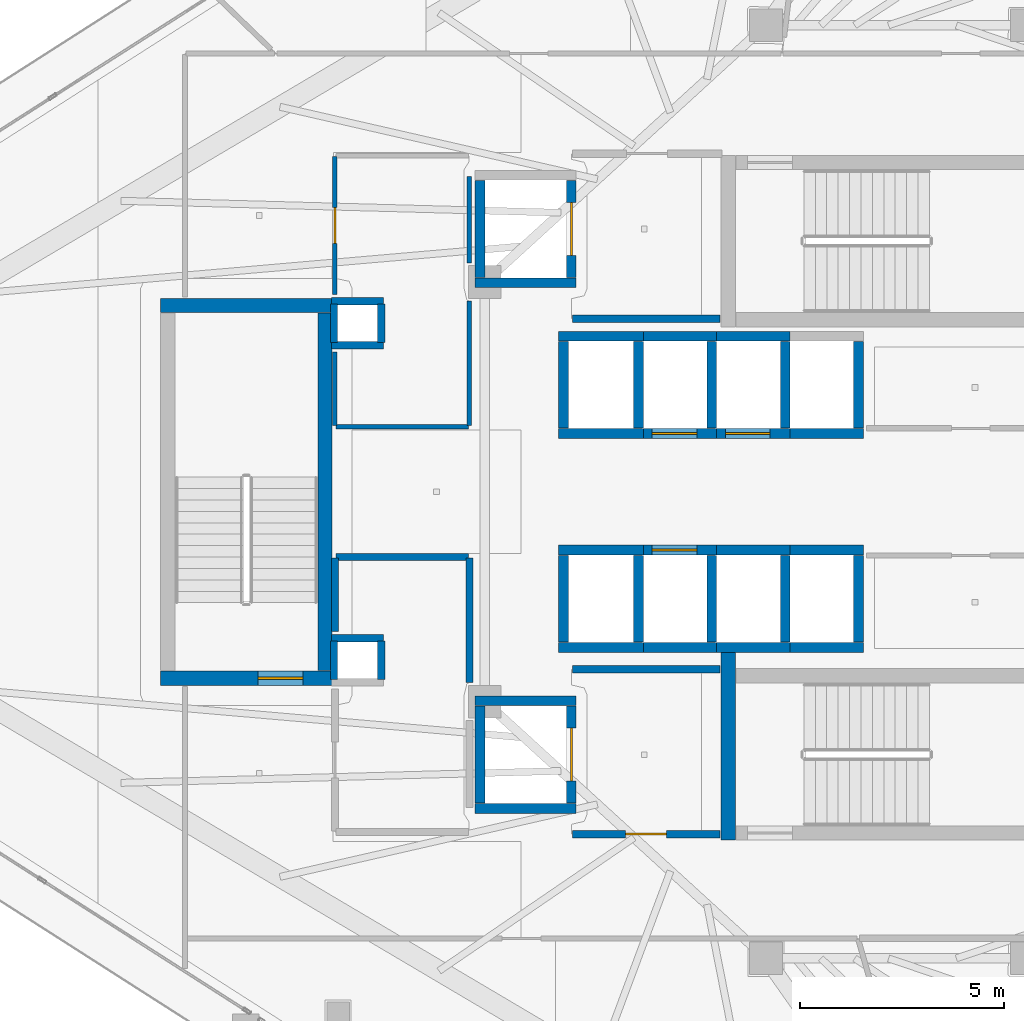
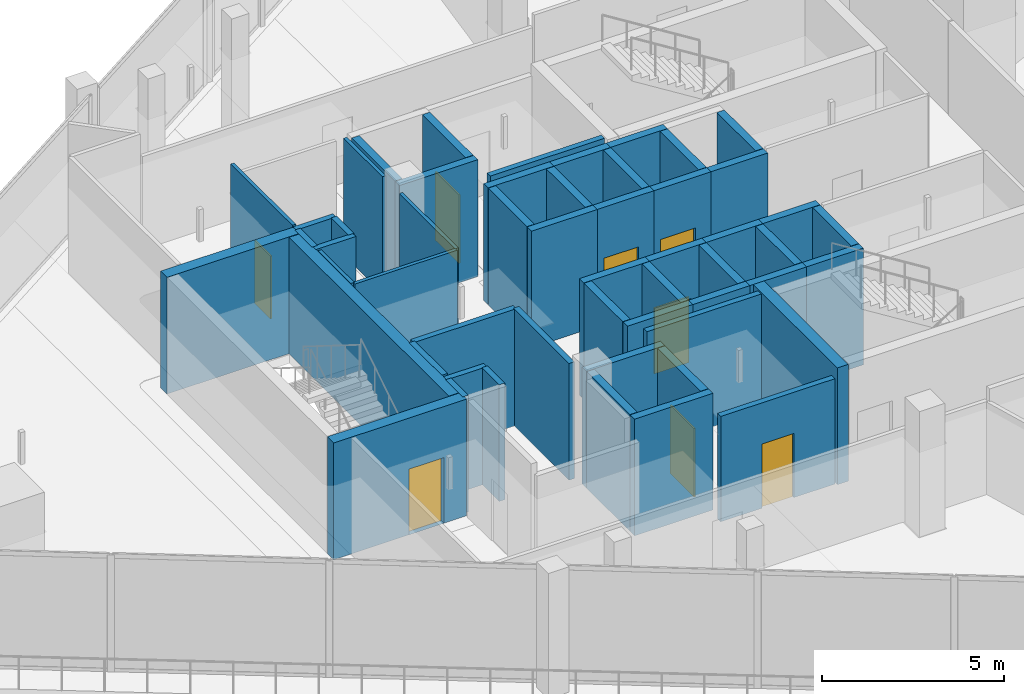
# One storey, part 21 of 31: 54 walls, 8 doors, 8 openings.
"""IFC4 building model written with IfcOpenShell, lengths in metres."""

from ifc_helpers import new_model, si_unit, direction, frame, frame_2d, origin, place, context, subcontext, project, spatial, rectangle, extrude, material, layer, layer_set, type_object, element, fill, save


model = new_model("IFC4")

# Units and contexts
model_context = context("Model", 3, precision=1e-05, world=origin(), true_north=direction((0.0, 1.0)))
body_context = subcontext(model_context, "Body", "Model", "MODEL_VIEW")
ifc_project = project(units=[si_unit("LENGTHUNIT", "METRE"), si_unit("AREAUNIT", "SQUARE_METRE"), si_unit("VOLUMEUNIT", "CUBIC_METRE"), si_unit("PLANEANGLEUNIT", "RADIAN"), si_unit("MASSUNIT", "GRAM", prefix="KILO")], contexts=[model_context])

# Site, building, storey
site_placement = place(None, origin())
site = spatial("IfcSite", under=ifc_project, at=site_placement, CompositionType="ELEMENT")
building_placement = place(site_placement, origin())
building = spatial("IfcBuilding", under=site, at=building_placement, Name="Qorvath Tower", CompositionType="ELEMENT")
storey_placement = place(building_placement, frame((0.0, 0.0, 259.800048828125)))
storey = spatial("IfcBuildingStorey", under=building, at=storey_placement, Name="L60", CompositionType="ELEMENT", Elevation=259.800048828125)

# Walls
ifc_material_1 = material(Name="Gypsum shaftliner on steel studs", Category="steel")
ifc_layer_1 = layer(ifc_material_1, 0.179931640625)
ifc_layer_set_1 = layer_set([ifc_layer_1], Name="FW-LOBBY")
wall_type_1 = type_object("IfcWallType", Name="FW-LOBBY", PredefinedType="PARTITIONING", material=ifc_layer_set_1)
for number, where, z_axis, x_axis, name in (
    (1, (-32.989990234375, 3.594970703125, 0.0), (0.0, 0.0, 1.0), (-1.0, 0.0, 0.0), "MEP Riser Shaft Enclosure Wall N-L60-S"),
    (2, (-34.260009765625, 4.675048828125, 0.0), (0.0, 0.0, 1.0), (1.0, 0.0, 0.0), "MEP Riser Shaft Enclosure Wall N-L60-N"),
):
    element("IfcWall", number, at=place(storey_placement, frame(where, z_axis=z_axis, x_axis=x_axis)), inside=storey, type_object=wall_type_1, Name=name, PredefinedType="PARTITIONING", context=body_context, shape_type="SweptSolid", body=[
        extrude(rectangle(XDim=1.27001953125, YDim=0.179931640625, at=frame_2d((0.635009765625, 0.0))), origin(), (0.0, 0.0, 1.0), 3.909912109375),
    ])
for number, where, z_axis, x_axis, name in (
    (3, (-34.205078125, 3.659912109375, 0.0), (0.0, 0.0, 1.0), (0.0, 1.0, 0.0), "MEP Riser Shaft Enclosure Wall N-L60-W"),
    (4, (-33.044921875, 4.610107421875, 0.0), (0.0, 0.0, 1.0), (0.0, -1.0, 0.0), "MEP Riser Shaft Enclosure Wall N-L60-E"),
):
    element("IfcWall", number, at=place(storey_placement, frame(where, z_axis=z_axis, x_axis=x_axis)), inside=storey, type_object=wall_type_1, Name=name, PredefinedType="PARTITIONING", context=body_context, shape_type="SweptSolid", body=[
        extrude(rectangle(XDim=0.9501953125, YDim=0.179931640625, at=frame_2d((0.47509765625, 0.0))), origin(), (0.0, 0.0, 1.0), 3.909912109375),
    ])
wall_1_placement = place(storey_placement, frame((-34.260009765625, -3.594970703125, 0.0), z_axis=(0.0, 0.0, 1.0), x_axis=(1.0, 0.0, 0.0)))
element("IfcWall", 5, at=wall_1_placement, inside=storey, type_object=wall_type_1, Name="MEP Riser Shaft Enclosure Wall S-L60-N", PredefinedType="PARTITIONING", context=body_context, shape_type="SweptSolid", body=[
    extrude(rectangle(XDim=1.27001953125, YDim=0.179931640625, at=frame_2d((0.635009765625, 0.0))), origin(), (0.0, 0.0, 1.0), 3.909912109375),
])
for number, where, z_axis, x_axis, name in (
    (6, (-34.205078125, -4.610107421875, 0.0), (0.0, 0.0, 1.0), (0.0, 1.0, 0.0), "MEP Riser Shaft Enclosure Wall S-L60-W"),
    (7, (-33.044921875, -3.659912109375, 0.0), (0.0, 0.0, 1.0), (0.0, -1.0, 0.0), "MEP Riser Shaft Enclosure Wall S-L60-E"),
):
    element("IfcWall", number, at=place(storey_placement, frame(where, z_axis=z_axis, x_axis=x_axis)), inside=storey, type_object=wall_type_1, Name=name, PredefinedType="PARTITIONING", context=body_context, shape_type="SweptSolid", body=[
        extrude(rectangle(XDim=0.9501953125, YDim=0.179931640625, at=frame_2d((0.47509765625, 0.0))), origin(), (0.0, 0.0, 1.0), 3.909912109375),
    ])
wall_2_placement = place(storey_placement, frame((-28.35498046875, 4.25, 0.0), z_axis=(0.0, 0.0, 1.0), x_axis=(1.0, 0.0, 0.0)))
element("IfcWall", 8, at=wall_2_placement, inside=storey, type_object=wall_type_1, Name="Interior Partition IW-T1-L60-001", PredefinedType="PARTITIONING", context=body_context, shape_type="SweptSolid", body=[
    extrude(rectangle(XDim=3.6220703125, YDim=0.179931640625, at=frame_2d((1.81103515625, 0.0))), origin(), (0.0, 0.0, 1.0), 3.909912109375),
])

# Wall, opening, door
wall_3_placement = place(storey_placement, frame((-28.35498046875, -8.39990234375, 0.0), z_axis=(0.0, 0.0, 1.0), x_axis=(1.0, 0.0, 0.0)))
wall_3 = element("IfcWall", 9, at=wall_3_placement, inside=storey, type_object=wall_type_1, Name="Interior Partition IW-T1-L60-003", PredefinedType="PARTITIONING", context=body_context, shape_type="SweptSolid", body=[
    extrude(rectangle(XDim=3.6220703125, YDim=0.179931640625, at=frame_2d((1.81103515625, 0.0))), origin(), (0.0, 0.0, 1.0), 3.52880859375),
])
opening_1_placement = place(wall_3_placement, frame((1.31103515625, 0.0, 0.0)))
opening_1 = element("IfcOpeningElement", 10, at=opening_1_placement, cuts=wall_3, Name="Opening D-T1-L60-10", PredefinedType="OPENING", context=body_context, shape_type="SweptSolid", body=[
    extrude(rectangle(XDim=1.0, YDim=2.14990234375, at=frame_2d((0.5, 1.074951171875))), frame((0.0, 0.10009765625, 0.0), z_axis=(0.0, -1.0, 0.0), x_axis=(1.0, 0.0, 0.0)), (0.0, 0.0, 1.0), 0.199951171875),
])
ifc_material_2 = material(Name="Painted galvanised hollow metal", Category="steel")
door_type_1 = type_object("IfcDoorType", Name="FD-60", OperationType="NOTDEFINED", PredefinedType="DOOR", material=ifc_material_2)
door_1_placement = place(opening_1_placement, origin())
door_1 = element("IfcDoor", 11, at=door_1_placement, inside=storey, type_object=door_type_1, Name="Lobby Fire Service Elevator South Door D-T1-L60-10", OperationType="SINGLE_SWING_RIGHT", OverallHeight=2.14990234375, OverallWidth=1.0, PredefinedType="DOOR", context=body_context, shape_type="SweptSolid", body=[
    extrude(rectangle(XDim=1.0, YDim=2.14990234375, at=frame_2d((0.5, 1.074951171875))), frame((0.0, 0.02490234375, 0.0), z_axis=(0.0, -1.0, 0.0), x_axis=(1.0, 0.0, 0.0)), (0.0, 0.0, 1.0), 0.050048828125),
])
fill(opening_1, door_1)

# Walls
wall_4_placement = place(storey_placement, frame((-24.73291015625, -4.35009765625, 0.0), z_axis=(0.0, 0.0, 1.0), x_axis=(-1.0, 0.0, 0.0)))
element("IfcWall", 12, at=wall_4_placement, inside=storey, type_object=wall_type_1, Name="Interior Partition IW-T1-L60-004", PredefinedType="PARTITIONING", context=body_context, shape_type="SweptSolid", body=[
    extrude(rectangle(XDim=3.6220703125, YDim=0.179931640625, at=frame_2d((1.81103515625, 0.0))), origin(), (0.0, 0.0, 1.0), 3.909912109375),
])
wall_5_placement = place(storey_placement, frame((-30.8798828125, -4.68505859375, 0.0), z_axis=(0.0, 0.0, 1.0), x_axis=(0.0, 1.0, 0.0)))
element("IfcWall", 13, at=wall_5_placement, inside=storey, type_object=wall_type_1, Name="Interior Partition IW-T1-L60-017", PredefinedType="PARTITIONING", context=body_context, shape_type="SweptSolid", body=[
    extrude(rectangle(XDim=3.06005859375, YDim=0.179931640625, at=frame_2d((1.530029296875, 0.0))), origin(), (0.0, 0.0, 1.0), 3.909912109375),
])
wall_6_placement = place(storey_placement, frame((-30.90478515625, -1.60009765625, 0.0), z_axis=(0.0, 0.0, 1.0), x_axis=(-1.0, 0.0, 0.0)))
element("IfcWall", 14, at=wall_6_placement, inside=storey, type_object=wall_type_1, Name="Interior Partition IW-T1-L60-018", PredefinedType="PARTITIONING", context=body_context, shape_type="SweptSolid", body=[
    extrude(rectangle(XDim=3.25, YDim=0.179931640625, at=frame_2d((1.625, 0.0))), origin(), (0.0, 0.0, 1.0), 3.909912109375),
])
wall_7_placement = place(storey_placement, frame((-34.179931640625, -1.625, 0.0), z_axis=(0.0, 0.0, 1.0), x_axis=(0.0, -1.0, 0.0)))
element("IfcWall", 15, at=wall_7_placement, inside=storey, type_object=wall_type_1, Name="Interior Partition IW-T1-L60-019", PredefinedType="PARTITIONING", context=body_context, shape_type="SweptSolid", body=[
    extrude(rectangle(XDim=1.804931640625, YDim=0.179931640625, at=frame_2d((0.90234375, 0.0))), origin(), (0.0, 0.0, 1.0), 3.909912109375),
])
ifc_material_3 = material(Name="Moisture-resistant cement board on metal studs", Category="gypsum")
ifc_layer_2 = layer(ifc_material_3, 0.110107421875)
ifc_layer_set_2 = layer_set([ifc_layer_2], Name="IW-WC-110")
wall_type_2 = type_object("IfcWallType", Name="IW-WC-110", PredefinedType="PARTITIONING", material=ifc_layer_set_2)
wall_8_placement = place(storey_placement, frame((-34.15478515625, 1.60009765625, 0.0), z_axis=(0.0, 0.0, 1.0), x_axis=(1.0, 0.0, 0.0)))
element("IfcWall", 16, at=wall_8_placement, inside=storey, type_object=wall_type_2, Name="Interior Partition IW-T1-L60-005", PredefinedType="PARTITIONING", context=body_context, shape_type="SweptSolid", body=[
    extrude(rectangle(XDim=3.25, YDim=0.110107421875, at=frame_2d((1.625, 0.0))), origin(), (0.0, 0.0, 1.0), 3.909912109375),
])
wall_9_placement = place(storey_placement, frame((-30.8798828125, 1.625, 0.0), z_axis=(0.0, 0.0, 1.0), x_axis=(0.0, 1.0, 0.0)))
element("IfcWall", 17, at=wall_9_placement, inside=storey, type_object=wall_type_2, Name="Interior Partition IW-T1-L60-006", PredefinedType="PARTITIONING", context=body_context, shape_type="SweptSolid", body=[
    extrude(rectangle(XDim=3.06005859375, YDim=0.110107421875, at=frame_2d((1.530029296875, 0.0))), origin(), (0.0, 0.0, 1.0), 3.909912109375),
])
wall_10_placement = place(storey_placement, frame((-30.8798828125, 5.614990234375, 0.0), z_axis=(0.0, 0.0, 1.0), x_axis=(0.0, 1.0, 0.0)))
element("IfcWall", 18, at=wall_10_placement, inside=storey, type_object=wall_type_2, Name="Interior Partition IW-T1-L60-007", PredefinedType="PARTITIONING", context=body_context, shape_type="SweptSolid", body=[
    extrude(rectangle(XDim=2.1279296875, YDim=0.110107421875, at=frame_2d((1.06396484375, 0.0))), origin(), (0.0, 0.0, 1.0), 3.909912109375),
])

# Wall, opening, door
wall_11_placement = place(storey_placement, frame((-34.179931640625, 8.22509765625, 0.0), z_axis=(0.0, 0.0, 1.0), x_axis=(0.0, -1.0, 0.0)))
wall_11 = element("IfcWall", 19, at=wall_11_placement, inside=storey, type_object=wall_type_2, Name="Interior Partition IW-T1-L60-009", PredefinedType="PARTITIONING", context=body_context, shape_type="SweptSolid", body=[
    extrude(rectangle(XDim=3.385009765625, YDim=0.110107421875, at=frame_2d((1.6923828125, 0.0))), origin(), (0.0, 0.0, 1.0), 3.909912109375),
])
opening_2_placement = place(wall_11_placement, frame((1.25244140625, 0.0, 0.0)))
opening_2 = element("IfcOpeningElement", 20, at=opening_2_placement, cuts=wall_11, Name="Opening D-T1-L60-01", PredefinedType="OPENING", context=body_context, shape_type="SweptSolid", body=[
    extrude(rectangle(XDim=0.8798828125, YDim=2.10009765625, at=frame_2d((0.43994140625, 1.050048828125))), frame((0.0, 0.06494140625, 0.0), z_axis=(0.0, -1.0, 0.0), x_axis=(1.0, 0.0, 0.0)), (0.0, 0.0, 1.0), 0.130126953125),
])
ifc_material_4 = material(Name="Solid-core oak with acoustic drop seal", Category="wood")
door_type_2 = type_object("IfcDoorType", Name="D-02", OperationType="NOTDEFINED", PredefinedType="DOOR", material=ifc_material_4)
door_2_placement = place(opening_2_placement, origin())
door_2 = element("IfcDoor", 21, at=door_2_placement, inside=storey, type_object=door_type_2, Name="Accessible WC North L60 Door D-T1-L60-01", OperationType="SINGLE_SWING_LEFT", OverallHeight=2.10009765625, OverallWidth=0.8798828125, PredefinedType="DOOR", context=body_context, shape_type="SweptSolid", body=[
    extrude(rectangle(XDim=0.8798828125, YDim=2.10009765625, at=frame_2d((0.43994140625, 1.050048828125))), frame((0.0, 0.02490234375, 0.0), z_axis=(0.0, -1.0, 0.0), x_axis=(1.0, 0.0, 0.0)), (0.0, 0.0, 1.0), 0.050048828125),
])
fill(opening_2, door_2)

# Walls
wall_12_placement = place(storey_placement, frame((-34.179931640625, 3.429931640625, 0.0), z_axis=(0.0, 0.0, 1.0), x_axis=(0.0, -1.0, 0.0)))
element("IfcWall", 22, at=wall_12_placement, inside=storey, type_object=wall_type_2, Name="Interior Partition IW-T1-L60-010", PredefinedType="PARTITIONING", context=body_context, shape_type="SweptSolid", body=[
    extrude(rectangle(XDim=1.804931640625, YDim=0.110107421875, at=frame_2d((0.90234375, 0.0))), origin(), (0.0, 0.0, 1.0), 3.909912109375),
])
ifc_material_5 = material(Name="Concrete C60/75", Category="concrete")
ifc_layer_3 = layer(ifc_material_5, 0.260009765625)
ifc_layer_set_3 = layer_set([ifc_layer_3], Name="SW-SHAFT")
wall_type_3 = type_object("IfcWallType", Name="SW-SHAFT", PredefinedType="SHEAR", material=ifc_layer_set_3)
wall_13_placement = place(storey_placement, frame((-28.260009765625, 5.1298828125, 0.0), z_axis=(0.0, 0.0, 1.0), x_axis=(-1.0, 0.0, 0.0)))
element("IfcWall", 23, at=wall_13_placement, inside=storey, type_object=wall_type_3, Name="Hoistway Wall FSAE-1 L60 S", PredefinedType="SHEAR", context=body_context, shape_type="SweptSolid", body=[
    extrude(rectangle(XDim=2.47998046875, YDim=0.239990234375, at=frame_2d((1.239990234375, 0.0))), origin(), (0.0, 0.0, 1.0), 3.909912109375),
])
wall_14_placement = place(storey_placement, frame((-30.6201171875, 5.261962890625, 0.0), z_axis=(0.0, 0.0, 1.0), x_axis=(0.0, 1.0, 0.0)))
element("IfcWall", 24, at=wall_14_placement, inside=storey, type_object=wall_type_3, Name="Hoistway Wall FSAE-1 L60 W", PredefinedType="SHEAR", context=body_context, shape_type="SweptSolid", body=[
    extrude(rectangle(XDim=2.3759765625, YDim=0.239990234375, at=frame_2d((1.18798828125, 0.0))), origin(), (0.0, 0.0, 1.0), 3.909912109375),
])

# Wall, opening, door
wall_15_placement = place(storey_placement, frame((-28.3798828125, 7.637939453125, 0.0), z_axis=(0.0, 0.0, 1.0), x_axis=(0.0, -1.0, 0.0)))
wall_15 = element("IfcWall", 25, at=wall_15_placement, inside=storey, type_object=wall_type_3, Name="Hoistway Wall FSAE-1 L60 E", PredefinedType="SHEAR", context=body_context, shape_type="SweptSolid", body=[
    extrude(rectangle(XDim=2.3759765625, YDim=0.239990234375, at=frame_2d((1.18798828125, 0.0))), origin(), (0.0, 0.0, 1.0), 3.909912109375),
])
opening_3_placement = place(wall_15_placement, frame((0.537841796875, 0.0, 0.0)))
opening_3 = element("IfcOpeningElement", 26, at=opening_3_placement, cuts=wall_15, Name="Opening LD-FSAE-1-L60", PredefinedType="OPENING", context=body_context, shape_type="SweptSolid", body=[
    extrude(rectangle(XDim=1.300048828125, YDim=2.300048828125, at=frame_2d((0.64990234375, 1.14990234375))), frame((0.0, 0.1298828125, 0.0), z_axis=(0.0, -1.0, 0.0), x_axis=(1.0, 0.0, 0.0)), (0.0, 0.0, 1.0), 0.260009765625),
])
ifc_material_6 = material(Name="Brushed stainless steel AISI 316", Category="steel")
door_type_3 = type_object("IfcDoorType", Name="LD-02", OperationType="NOTDEFINED", PredefinedType="DOOR", material=ifc_material_6)
door_3_placement = place(opening_3_placement, origin())
door_3 = element("IfcDoor", 27, at=door_3_placement, inside=storey, type_object=door_type_3, Name="Elevator Landing Sliding Door LD-FSAE-1-L60", OperationType="DOUBLE_DOOR_SLIDING", OverallHeight=2.300048828125, OverallWidth=1.300048828125, PredefinedType="DOOR", context=body_context, shape_type="SweptSolid", body=[
    extrude(rectangle(XDim=1.300048828125, YDim=2.300048828125, at=frame_2d((0.64990234375, 1.14990234375))), frame((0.0, 0.02490234375, 0.0), z_axis=(0.0, -1.0, 0.0), x_axis=(1.0, 0.0, 0.0)), (0.0, 0.0, 1.0), 0.050048828125),
])
fill(opening_3, door_3)

# Walls
for number, where, z_axis, x_axis, name in (
    (28, (-28.260009765625, -7.77001953125, 0.0), (0.0, 0.0, 1.0), (-1.0, 0.0, 0.0), "Hoistway Wall FSAE-2 L60 S"),
    (29, (-30.739990234375, -5.1298828125, 0.0), (0.0, 0.0, 1.0), (1.0, 0.0, 0.0), "Hoistway Wall FSAE-2 L60 N"),
):
    element("IfcWall", number, at=place(storey_placement, frame(where, z_axis=z_axis, x_axis=x_axis)), inside=storey, type_object=wall_type_3, Name=name, PredefinedType="SHEAR", context=body_context, shape_type="SweptSolid", body=[
        extrude(rectangle(XDim=2.47998046875, YDim=0.239990234375, at=frame_2d((1.239990234375, 0.0))), origin(), (0.0, 0.0, 1.0), 3.909912109375),
    ])
wall_16_placement = place(storey_placement, frame((-30.6201171875, -7.637939453125, 0.0), z_axis=(0.0, 0.0, 1.0), x_axis=(0.0, 1.0, 0.0)))
element("IfcWall", 30, at=wall_16_placement, inside=storey, type_object=wall_type_3, Name="Hoistway Wall FSAE-2 L60 W", PredefinedType="SHEAR", context=body_context, shape_type="SweptSolid", body=[
    extrude(rectangle(XDim=2.3759765625, YDim=0.239990234375, at=frame_2d((1.18798828125, 0.0))), origin(), (0.0, 0.0, 1.0), 3.909912109375),
])

# Wall, opening, door
wall_17_placement = place(storey_placement, frame((-28.3798828125, -5.261962890625, 0.0), z_axis=(0.0, 0.0, 1.0), x_axis=(0.0, -1.0, 0.0)))
wall_17 = element("IfcWall", 31, at=wall_17_placement, inside=storey, type_object=wall_type_3, Name="Hoistway Wall FSAE-2 L60 E", PredefinedType="SHEAR", context=body_context, shape_type="SweptSolid", body=[
    extrude(rectangle(XDim=2.3759765625, YDim=0.239990234375, at=frame_2d((1.18798828125, 0.0))), origin(), (0.0, 0.0, 1.0), 3.909912109375),
])
opening_4_placement = place(wall_17_placement, frame((0.5380859375, 0.0, 0.0)))
opening_4 = element("IfcOpeningElement", 32, at=opening_4_placement, cuts=wall_17, Name="Opening LD-FSAE-2-L60", PredefinedType="OPENING", context=body_context, shape_type="SweptSolid", body=[
    extrude(rectangle(XDim=1.300048828125, YDim=2.300048828125, at=frame_2d((0.64990234375, 1.14990234375))), frame((0.0, 0.1298828125, 0.0), z_axis=(0.0, -1.0, 0.0), x_axis=(1.0, 0.0, 0.0)), (0.0, 0.0, 1.0), 0.260009765625),
])
door_4_placement = place(opening_4_placement, origin())
door_4 = element("IfcDoor", 33, at=door_4_placement, inside=storey, type_object=door_type_3, Name="Elevator Landing Sliding Door LD-FSAE-2-L60", OperationType="DOUBLE_DOOR_SLIDING", OverallHeight=2.300048828125, OverallWidth=1.300048828125, PredefinedType="DOOR", context=body_context, shape_type="SweptSolid", body=[
    extrude(rectangle(XDim=1.300048828125, YDim=2.300048828125, at=frame_2d((0.64990234375, 1.14990234375))), frame((0.0, 0.02490234375, 0.0), z_axis=(0.0, -1.0, 0.0), x_axis=(1.0, 0.0, 0.0)), (0.0, 0.0, 1.0), 0.050048828125),
])
fill(opening_4, door_4)

# Walls
for number, where, z_axis, x_axis, name in (
    (34, (-26.610107421875, 1.429931640625, 0.0), (0.0, 0.0, 1.0), (-1.0, 0.0, 0.0), "Hoistway Wall PS-1 L60 S"),
    (35, (-28.68994140625, 3.820068359375, 0.0), (0.0, 0.0, 1.0), (1.0, 0.0, 0.0), "Hoistway Wall PS-1 L60 N"),
):
    element("IfcWall", number, at=place(storey_placement, frame(where, z_axis=z_axis, x_axis=x_axis)), inside=storey, type_object=wall_type_3, Name=name, PredefinedType="SHEAR", context=body_context, shape_type="SweptSolid", body=[
        extrude(rectangle(XDim=2.079833984375, YDim=0.239990234375, at=frame_2d((1.0400390625, 0.0))), origin(), (0.0, 0.0, 1.0), 3.909912109375),
    ])
for number, where, z_axis, x_axis, name in (
    (36, (-28.570068359375, 1.56201171875, 0.0), (0.0, 0.0, 1.0), (0.0, 1.0, 0.0), "Hoistway Wall PS-1 L60 W"),
    (37, (-26.72998046875, 3.68798828125, 0.0), (0.0, 0.0, 1.0), (0.0, -1.0, 0.0), "Hoistway Wall PS-1 L60 E"),
):
    element("IfcWall", number, at=place(storey_placement, frame(where, z_axis=z_axis, x_axis=x_axis)), inside=storey, type_object=wall_type_3, Name=name, PredefinedType="SHEAR", context=body_context, shape_type="SweptSolid", body=[
        extrude(rectangle(XDim=2.1259765625, YDim=0.239990234375, at=frame_2d((1.06298828125, 0.0))), origin(), (0.0, 0.0, 1.0), 3.909912109375),
    ])

# Wall, opening, door
wall_18_placement = place(storey_placement, frame((-24.81005859375, 1.429931640625, 0.0), z_axis=(0.0, 0.0, 1.0), x_axis=(-1.0, 0.0, 0.0)))
wall_18 = element("IfcWall", 38, at=wall_18_placement, inside=storey, type_object=wall_type_3, Name="Hoistway Wall PH-1 L60 S", PredefinedType="SHEAR", context=body_context, shape_type="SweptSolid", body=[
    extrude(rectangle(XDim=1.800048828125, YDim=0.239990234375, at=frame_2d((0.89990234375, 0.0))), origin(), (0.0, 0.0, 1.0), 3.909912109375),
])
opening_5_placement = place(wall_18_placement, frame((0.489990234375, 0.0, 0.0)))
opening_5 = element("IfcOpeningElement", 39, at=opening_5_placement, cuts=wall_18, Name="Opening LD-PH-1-L60", PredefinedType="OPENING", context=body_context, shape_type="SweptSolid", body=[
    extrude(rectangle(XDim=1.10009765625, YDim=2.199951171875, at=frame_2d((0.550048828125, 1.10009765625))), frame((0.0, 0.1298828125, 0.0), z_axis=(0.0, -1.0, 0.0), x_axis=(1.0, 0.0, 0.0)), (0.0, 0.0, 1.0), 0.260009765625),
])
ifc_material_7 = material(Name="Brushed stainless steel AISI 316", Category="steel")
door_type_4 = type_object("IfcDoorType", Name="LD-01", OperationType="NOTDEFINED", PredefinedType="DOOR", material=ifc_material_7)
door_5_placement = place(opening_5_placement, origin())
door_5 = element("IfcDoor", 40, at=door_5_placement, inside=storey, type_object=door_type_4, Name="Elevator Landing Sliding Door LD-PH-1-L60", OperationType="DOUBLE_DOOR_SLIDING", OverallHeight=2.199951171875, OverallWidth=1.10009765625, PredefinedType="DOOR", context=body_context, shape_type="SweptSolid", body=[
    extrude(rectangle(XDim=1.10009765625, YDim=2.199951171875, at=frame_2d((0.550048828125, 1.10009765625))), frame((0.0, 0.02490234375, 0.0), z_axis=(0.0, -1.0, 0.0), x_axis=(1.0, 0.0, 0.0)), (0.0, 0.0, 1.0), 0.050048828125),
])
fill(opening_5, door_5)

# Walls
wall_19_placement = place(storey_placement, frame((-26.610107421875, 3.820068359375, 0.0), z_axis=(0.0, 0.0, 1.0), x_axis=(1.0, 0.0, 0.0)))
element("IfcWall", 41, at=wall_19_placement, inside=storey, type_object=wall_type_3, Name="Hoistway Wall PH-1 L60 N", PredefinedType="SHEAR", context=body_context, shape_type="SweptSolid", body=[
    extrude(rectangle(XDim=1.800048828125, YDim=0.239990234375, at=frame_2d((0.89990234375, 0.0))), origin(), (0.0, 0.0, 1.0), 3.909912109375),
])
wall_20_placement = place(storey_placement, frame((-24.929931640625, 3.68798828125, 0.0), z_axis=(0.0, 0.0, 1.0), x_axis=(0.0, -1.0, 0.0)))
element("IfcWall", 42, at=wall_20_placement, inside=storey, type_object=wall_type_3, Name="Hoistway Wall PH-1 L60 E", PredefinedType="SHEAR", context=body_context, shape_type="SweptSolid", body=[
    extrude(rectangle(XDim=2.1259765625, YDim=0.239990234375, at=frame_2d((1.06298828125, 0.0))), origin(), (0.0, 0.0, 1.0), 3.909912109375),
])

# Wall, opening, door
wall_21_placement = place(storey_placement, frame((-23.010009765625, 1.429931640625, 0.0), z_axis=(0.0, 0.0, 1.0), x_axis=(-1.0, 0.0, 0.0)))
wall_21 = element("IfcWall", 43, at=wall_21_placement, inside=storey, type_object=wall_type_3, Name="Hoistway Wall PH-2 L60 S", PredefinedType="SHEAR", context=body_context, shape_type="SweptSolid", body=[
    extrude(rectangle(XDim=1.800048828125, YDim=0.239990234375, at=frame_2d((0.89990234375, 0.0))), origin(), (0.0, 0.0, 1.0), 3.909912109375),
])
opening_6_placement = place(wall_21_placement, frame((0.489990234375, 0.0, 0.0)))
opening_6 = element("IfcOpeningElement", 44, at=opening_6_placement, cuts=wall_21, Name="Opening LD-PH-2-L60", PredefinedType="OPENING", context=body_context, shape_type="SweptSolid", body=[
    extrude(rectangle(XDim=1.10009765625, YDim=2.199951171875, at=frame_2d((0.550048828125, 1.10009765625))), frame((0.0, 0.1298828125, 0.0), z_axis=(0.0, -1.0, 0.0), x_axis=(1.0, 0.0, 0.0)), (0.0, 0.0, 1.0), 0.260009765625),
])
door_6_placement = place(opening_6_placement, origin())
door_6 = element("IfcDoor", 45, at=door_6_placement, inside=storey, type_object=door_type_4, Name="Elevator Landing Sliding Door LD-PH-2-L60", OperationType="DOUBLE_DOOR_SLIDING", OverallHeight=2.199951171875, OverallWidth=1.10009765625, PredefinedType="DOOR", context=body_context, shape_type="SweptSolid", body=[
    extrude(rectangle(XDim=1.10009765625, YDim=2.199951171875, at=frame_2d((0.550048828125, 1.10009765625))), frame((0.0, 0.02490234375, 0.0), z_axis=(0.0, -1.0, 0.0), x_axis=(1.0, 0.0, 0.0)), (0.0, 0.0, 1.0), 0.050048828125),
])
fill(opening_6, door_6)

# Walls
wall_22_placement = place(storey_placement, frame((-24.81005859375, 3.820068359375, 0.0), z_axis=(0.0, 0.0, 1.0), x_axis=(1.0, 0.0, 0.0)))
element("IfcWall", 46, at=wall_22_placement, inside=storey, type_object=wall_type_3, Name="Hoistway Wall PH-2 L60 N", PredefinedType="SHEAR", context=body_context, shape_type="SweptSolid", body=[
    extrude(rectangle(XDim=1.800048828125, YDim=0.239990234375, at=frame_2d((0.89990234375, 0.0))), origin(), (0.0, 0.0, 1.0), 3.909912109375),
])
wall_23_placement = place(storey_placement, frame((-23.1298828125, 3.68798828125, 0.0), z_axis=(0.0, 0.0, 1.0), x_axis=(0.0, -1.0, 0.0)))
element("IfcWall", 47, at=wall_23_placement, inside=storey, type_object=wall_type_3, Name="Hoistway Wall PH-2 L60 E", PredefinedType="SHEAR", context=body_context, shape_type="SweptSolid", body=[
    extrude(rectangle(XDim=2.1259765625, YDim=0.239990234375, at=frame_2d((1.06298828125, 0.0))), origin(), (0.0, 0.0, 1.0), 3.909912109375),
])
wall_24_placement = place(storey_placement, frame((-21.2099609375, 1.429931640625, 0.0), z_axis=(0.0, 0.0, 1.0), x_axis=(-1.0, 0.0, 0.0)))
element("IfcWall", 48, at=wall_24_placement, inside=storey, type_object=wall_type_3, Name="Hoistway Wall PU-1 L60 S", PredefinedType="SHEAR", context=body_context, shape_type="SweptSolid", body=[
    extrude(rectangle(XDim=1.800048828125, YDim=0.239990234375, at=frame_2d((0.89990234375, 0.0))), origin(), (0.0, 0.0, 1.0), 3.909912109375),
])
wall_25_placement = place(storey_placement, frame((-21.330078125, 3.68798828125, 0.0), z_axis=(0.0, 0.0, 1.0), x_axis=(0.0, -1.0, 0.0)))
element("IfcWall", 49, at=wall_25_placement, inside=storey, type_object=wall_type_3, Name="Hoistway Wall PU-1 L60 E", PredefinedType="SHEAR", context=body_context, shape_type="SweptSolid", body=[
    extrude(rectangle(XDim=2.1259765625, YDim=0.239990234375, at=frame_2d((1.06298828125, 0.0))), origin(), (0.0, 0.0, 1.0), 3.909912109375),
])
for number, where, z_axis, x_axis, name in (
    (50, (-26.610107421875, -3.820068359375, 0.0), (0.0, 0.0, 1.0), (-1.0, 0.0, 0.0), "Hoistway Wall PS-2 L60 S"),
    (51, (-28.68994140625, -1.429931640625, 0.0), (0.0, 0.0, 1.0), (1.0, 0.0, 0.0), "Hoistway Wall PS-2 L60 N"),
):
    element("IfcWall", number, at=place(storey_placement, frame(where, z_axis=z_axis, x_axis=x_axis)), inside=storey, type_object=wall_type_3, Name=name, PredefinedType="SHEAR", context=body_context, shape_type="SweptSolid", body=[
        extrude(rectangle(XDim=2.079833984375, YDim=0.239990234375, at=frame_2d((1.0400390625, 0.0))), origin(), (0.0, 0.0, 1.0), 3.909912109375),
    ])
for number, where, z_axis, x_axis, name in (
    (52, (-28.570068359375, -3.68798828125, 0.0), (0.0, 0.0, 1.0), (0.0, 1.0, 0.0), "Hoistway Wall PS-2 L60 W"),
    (53, (-26.72998046875, -1.56201171875, 0.0), (0.0, 0.0, 1.0), (0.0, -1.0, 0.0), "Hoistway Wall PS-2 L60 E"),
):
    element("IfcWall", number, at=place(storey_placement, frame(where, z_axis=z_axis, x_axis=x_axis)), inside=storey, type_object=wall_type_3, Name=name, PredefinedType="SHEAR", context=body_context, shape_type="SweptSolid", body=[
        extrude(rectangle(XDim=2.1259765625, YDim=0.239990234375, at=frame_2d((1.06298828125, 0.0))), origin(), (0.0, 0.0, 1.0), 3.909912109375),
    ])
wall_26_placement = place(storey_placement, frame((-24.81005859375, -3.820068359375, 0.0), z_axis=(0.0, 0.0, 1.0), x_axis=(-1.0, 0.0, 0.0)))
element("IfcWall", 54, at=wall_26_placement, inside=storey, type_object=wall_type_3, Name="Hoistway Wall PH-3 L60 S", PredefinedType="SHEAR", context=body_context, shape_type="SweptSolid", body=[
    extrude(rectangle(XDim=1.800048828125, YDim=0.239990234375, at=frame_2d((0.89990234375, 0.0))), origin(), (0.0, 0.0, 1.0), 3.909912109375),
])

# Wall, opening, door
wall_27_placement = place(storey_placement, frame((-26.610107421875, -1.429931640625, 0.0), z_axis=(0.0, 0.0, 1.0), x_axis=(1.0, 0.0, 0.0)))
wall_27 = element("IfcWall", 55, at=wall_27_placement, inside=storey, type_object=wall_type_3, Name="Hoistway Wall PH-3 L60 N", PredefinedType="SHEAR", context=body_context, shape_type="SweptSolid", body=[
    extrude(rectangle(XDim=1.800048828125, YDim=0.239990234375, at=frame_2d((0.89990234375, 0.0))), origin(), (0.0, 0.0, 1.0), 3.909912109375),
])
opening_7_placement = place(wall_27_placement, frame((0.2099609375, 0.0, 0.0)))
opening_7 = element("IfcOpeningElement", 56, at=opening_7_placement, cuts=wall_27, Name="Opening LD-PH-3-L60", PredefinedType="OPENING", context=body_context, shape_type="SweptSolid", body=[
    extrude(rectangle(XDim=1.10009765625, YDim=2.199951171875, at=frame_2d((0.550048828125, 1.10009765625))), frame((0.0, 0.1298828125, 0.0), z_axis=(0.0, -1.0, 0.0), x_axis=(1.0, 0.0, 0.0)), (0.0, 0.0, 1.0), 0.260009765625),
])
door_7_placement = place(opening_7_placement, origin())
door_7 = element("IfcDoor", 57, at=door_7_placement, inside=storey, type_object=door_type_4, Name="Elevator Landing Sliding Door LD-PH-3-L60", OperationType="DOUBLE_DOOR_SLIDING", OverallHeight=2.199951171875, OverallWidth=1.10009765625, PredefinedType="DOOR", context=body_context, shape_type="SweptSolid", body=[
    extrude(rectangle(XDim=1.10009765625, YDim=2.199951171875, at=frame_2d((0.550048828125, 1.10009765625))), frame((0.0, 0.02490234375, 0.0), z_axis=(0.0, -1.0, 0.0), x_axis=(1.0, 0.0, 0.0)), (0.0, 0.0, 1.0), 0.050048828125),
])
fill(opening_7, door_7)

# Walls
wall_28_placement = place(storey_placement, frame((-24.929931640625, -1.56201171875, 0.0), z_axis=(0.0, 0.0, 1.0), x_axis=(0.0, -1.0, 0.0)))
element("IfcWall", 58, at=wall_28_placement, inside=storey, type_object=wall_type_3, Name="Hoistway Wall PH-3 L60 E", PredefinedType="SHEAR", context=body_context, shape_type="SweptSolid", body=[
    extrude(rectangle(XDim=2.1259765625, YDim=0.239990234375, at=frame_2d((1.06298828125, 0.0))), origin(), (0.0, 0.0, 1.0), 3.909912109375),
])
for number, where, z_axis, x_axis, name in (
    (59, (-23.010009765625, -3.820068359375, 0.0), (0.0, 0.0, 1.0), (-1.0, 0.0, 0.0), "Hoistway Wall PU-2 L60 S"),
    (60, (-24.81005859375, -1.429931640625, 0.0), (0.0, 0.0, 1.0), (1.0, 0.0, 0.0), "Hoistway Wall PU-2 L60 N"),
):
    element("IfcWall", number, at=place(storey_placement, frame(where, z_axis=z_axis, x_axis=x_axis)), inside=storey, type_object=wall_type_3, Name=name, PredefinedType="SHEAR", context=body_context, shape_type="SweptSolid", body=[
        extrude(rectangle(XDim=1.800048828125, YDim=0.239990234375, at=frame_2d((0.89990234375, 0.0))), origin(), (0.0, 0.0, 1.0), 3.909912109375),
    ])
wall_29_placement = place(storey_placement, frame((-23.1298828125, -1.56201171875, 0.0), z_axis=(0.0, 0.0, 1.0), x_axis=(0.0, -1.0, 0.0)))
element("IfcWall", 61, at=wall_29_placement, inside=storey, type_object=wall_type_3, Name="Hoistway Wall PU-2 L60 E", PredefinedType="SHEAR", context=body_context, shape_type="SweptSolid", body=[
    extrude(rectangle(XDim=2.1259765625, YDim=0.239990234375, at=frame_2d((1.06298828125, 0.0))), origin(), (0.0, 0.0, 1.0), 3.909912109375),
])
for number, where, z_axis, x_axis, name in (
    (62, (-21.2099609375, -3.820068359375, 0.0), (0.0, 0.0, 1.0), (-1.0, 0.0, 0.0), "Hoistway Wall PU-3 L60 S"),
    (63, (-23.010009765625, -1.429931640625, 0.0), (0.0, 0.0, 1.0), (1.0, 0.0, 0.0), "Hoistway Wall PU-3 L60 N"),
):
    element("IfcWall", number, at=place(storey_placement, frame(where, z_axis=z_axis, x_axis=x_axis)), inside=storey, type_object=wall_type_3, Name=name, PredefinedType="SHEAR", context=body_context, shape_type="SweptSolid", body=[
        extrude(rectangle(XDim=1.800048828125, YDim=0.239990234375, at=frame_2d((0.89990234375, 0.0))), origin(), (0.0, 0.0, 1.0), 3.909912109375),
    ])
wall_30_placement = place(storey_placement, frame((-21.330078125, -1.56201171875, 0.0), z_axis=(0.0, 0.0, 1.0), x_axis=(0.0, -1.0, 0.0)))
element("IfcWall", 64, at=wall_30_placement, inside=storey, type_object=wall_type_3, Name="Hoistway Wall PU-3 L60 E", PredefinedType="SHEAR", context=body_context, shape_type="SweptSolid", body=[
    extrude(rectangle(XDim=2.1259765625, YDim=0.239990234375, at=frame_2d((1.06298828125, 0.0))), origin(), (0.0, 0.0, 1.0), 3.909912109375),
])
ifc_material_8 = material(Name="Concrete C60/75", Category="concrete")
ifc_layer_4 = layer(ifc_material_8, 0.35009765625)
ifc_layer_set_4 = layer_set([ifc_layer_4], Name="SW-STAIR")
wall_type_4 = type_object("IfcWallType", Name="SW-STAIR", PredefinedType="SHEAR", material=ifc_layer_set_4)
wall_31_placement = place(storey_placement, frame((-24.52490234375, -3.93994140625, 0.0), z_axis=(0.0, 0.0, 1.0), x_axis=(0.0, -1.0, 0.0)))
element("IfcWall", 65, at=wall_31_placement, inside=storey, type_object=wall_type_4, Name="Stair TS2 Shear Wall L60 NEAR", PredefinedType="SHEAR", context=body_context, shape_type="SweptSolid", body=[
    extrude(rectangle(XDim=4.610107421875, YDim=0.35009765625, at=frame_2d((2.30517578125, 0.0))), origin(), (0.0, 0.0, 1.0), 3.909912109375),
])

# Wall, opening, door
wall_32_placement = place(storey_placement, frame((-38.4599609375, -4.574951171875, 0.0), z_axis=(0.0, 0.0, 1.0), x_axis=(1.0, 0.0, 0.0)))
wall_32 = element("IfcWall", 66, at=wall_32_placement, inside=storey, type_object=wall_type_4, Name="Stair TS3 Shear Wall L60 NEAR", PredefinedType="SHEAR", context=body_context, shape_type="SweptSolid", body=[
    extrude(rectangle(XDim=4.2099609375, YDim=0.35009765625, at=frame_2d((2.10498046875, 0.0))), origin(), (0.0, 0.0, 1.0), 3.909912109375),
])
opening_8_placement = place(wall_32_placement, frame((2.389892578125, 0.0, 0.0)))
opening_8 = element("IfcOpeningElement", 67, at=opening_8_placement, cuts=wall_32, Name="Opening D-TS3-L60", PredefinedType="OPENING", context=body_context, shape_type="SweptSolid", body=[
    extrude(rectangle(XDim=1.10009765625, YDim=2.199951171875, at=frame_2d((0.550048828125, 1.10009765625))), frame((0.0, 0.18505859375, 0.0), z_axis=(0.0, -1.0, 0.0), x_axis=(1.0, 0.0, 0.0)), (0.0, 0.0, 1.0), 0.3701171875),
])
ifc_material_9 = material(Name="Painted galvanised hollow metal", Category="steel")
door_type_5 = type_object("IfcDoorType", Name="FD-90", OperationType="NOTDEFINED", PredefinedType="DOOR", material=ifc_material_9)
door_8_placement = place(opening_8_placement, origin())
door_8 = element("IfcDoor", 68, at=door_8_placement, inside=storey, type_object=door_type_5, Name="Stair TS3 Fire Door L60", OperationType="SINGLE_SWING_LEFT", OverallHeight=2.199951171875, OverallWidth=1.10009765625, PredefinedType="DOOR", context=body_context, shape_type="SweptSolid", body=[
    extrude(rectangle(XDim=1.10009765625, YDim=2.199951171875, at=frame_2d((0.550048828125, 1.10009765625))), frame((0.0, 0.02490234375, 0.0), z_axis=(0.0, -1.0, 0.0), x_axis=(1.0, 0.0, 0.0)), (0.0, 0.0, 1.0), 0.050048828125),
])
fill(opening_8, door_8)

# Walls
wall_33_placement = place(storey_placement, frame((-34.25, 4.574951171875, 0.0), z_axis=(0.0, 0.0, 1.0), x_axis=(-1.0, 0.0, 0.0)))
element("IfcWall", 69, at=wall_33_placement, inside=storey, type_object=wall_type_4, Name="Stair TS3 Shear Wall L60 FAR", PredefinedType="SHEAR", context=body_context, shape_type="SweptSolid", body=[
    extrude(rectangle(XDim=4.2099609375, YDim=0.35009765625, at=frame_2d((2.10498046875, 0.0))), origin(), (0.0, 0.0, 1.0), 3.909912109375),
])
wall_34_placement = place(storey_placement, frame((-34.425048828125, -4.385009765625, 0.0), z_axis=(0.0, 0.0, 1.0), x_axis=(0.0, 1.0, 0.0)))
element("IfcWall", 70, at=wall_34_placement, inside=storey, type_object=wall_type_4, Name="Stair TS3 Shear Wall L60 LEFT", PredefinedType="SHEAR", context=body_context, shape_type="SweptSolid", body=[
    extrude(rectangle(XDim=8.77001953125, YDim=0.35009765625, at=frame_2d((4.385009765625, 0.0))), origin(), (0.0, 0.0, 1.0), 3.909912109375),
])

save(model, "model.ifc")
